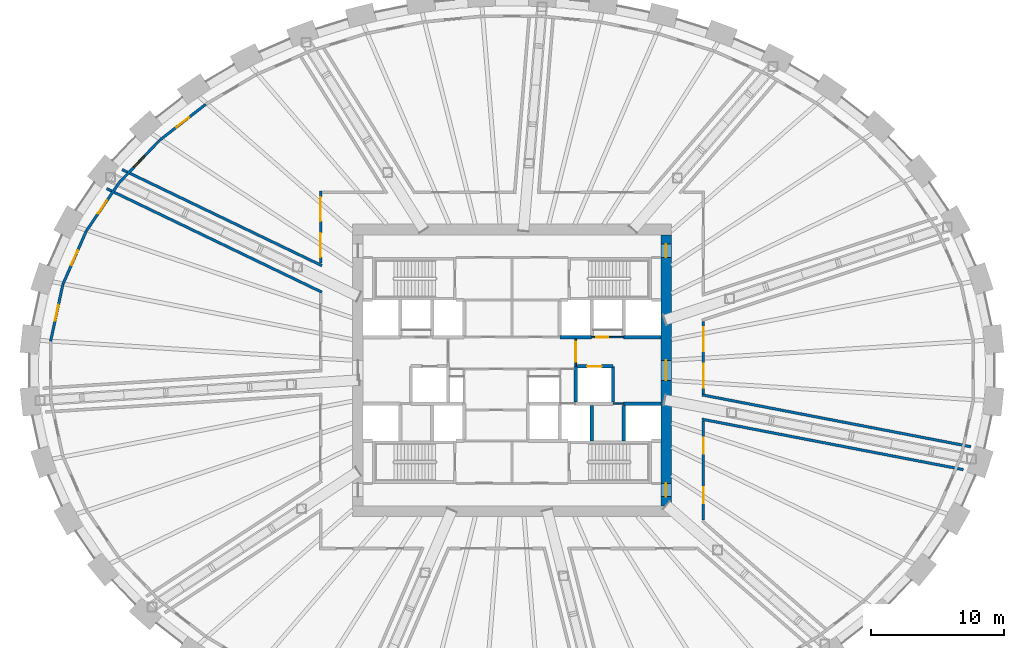
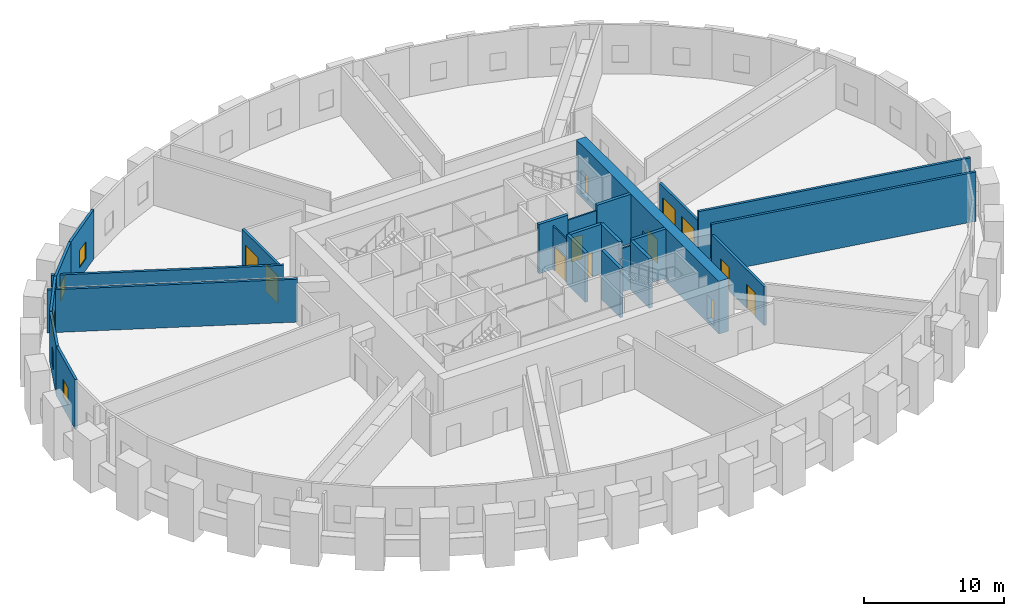
# One storey, part 9 of 13: 24 walls, 12 doors, 5 windows, 17 openings.
"""IFC4 building model written with IfcOpenShell, lengths in metres."""

from ifc_helpers import new_model, si_unit, direction, frame, frame_2d, origin, place, context, subcontext, project, spatial, rectangle, extrude, source, transform, mapped, material, layer, layer_set, type_object, element, fill, save


model = new_model("IFC4")

# Units and contexts
model_context = context("Model", 3, precision=1e-05, world=origin(), true_north=direction((0.0, 1.0)))
body_context = subcontext(model_context, "Body", "Model", "MODEL_VIEW")
ifc_project = project(units=[si_unit("LENGTHUNIT", "METRE"), si_unit("AREAUNIT", "SQUARE_METRE"), si_unit("VOLUMEUNIT", "CUBIC_METRE"), si_unit("PLANEANGLEUNIT", "RADIAN"), si_unit("MASSUNIT", "GRAM", prefix="KILO")], contexts=[model_context])

# Site, building, storey
site_placement = place(None, origin())
site = spatial("IfcSite", under=ifc_project, at=site_placement, CompositionType="ELEMENT")
building_placement = place(site_placement, origin())
building = spatial("IfcBuilding", under=site, at=building_placement, Name="Embergate Tower", CompositionType="ELEMENT")
storey_placement = place(building_placement, frame((0.0, 0.0, 195.0)))
storey = spatial("IfcBuildingStorey", under=building, at=storey_placement, Name="L44", CompositionType="ELEMENT", Elevation=195.0)

# Wall, openings, doors
ifc_material_1 = material(Name="Concrete C70", Category="concrete")
ifc_layer_1 = layer(ifc_material_1, 0.800048828125)
ifc_layer_set_1 = layer_set([ifc_layer_1], Name="Concrete C70")
wall_type_1 = type_object("IfcWallType", Name="Core outer wall C70 800", PredefinedType="SHEAR", material=ifc_layer_set_1)
shared_shape_1 = source(origin(), body_context, "Body", "SweptSolid", [
    extrude(rectangle(XDim=20.39990234375, YDim=0.800048828125, at=frame_2d((10.199951171875, 0.0))), origin(), (0.0, 0.0, 1.0), 4.60009765625),
])
wall_1_placement = place(storey_placement, frame((11.60009765625, -10.199951171875, -0.300048828125), z_axis=(0.0, 0.0, 1.0), x_axis=(0.0, 1.0, 0.0)))
wall_1 = element("IfcWall", 1, at=wall_1_placement, inside=storey, type_object=wall_type_1, Name="CW-L44-E", PredefinedType="SHEAR", context=body_context, shape_type="MappedRepresentation", body=[
    mapped(shared_shape_1, transform((0.0, 0.0, 0.0))),
])
shared_shape_2 = source(origin(), body_context, "Body", "SweptSolid", [
    extrude(rectangle(XDim=1.0, YDim=2.10009765625, at=frame_2d((0.5, 1.050048828125))), frame((0.0, 0.409912109375, 0.0), z_axis=(0.0, -1.0, 0.0), x_axis=(1.0, 0.0, 0.0)), (0.0, 0.0, 1.0), 0.820068359375),
])
opening_1_placement = place(wall_1_placement, frame((18.699951171875, 0.0, 0.300048828125)))
opening_1 = element("IfcOpeningElement", 2, at=opening_1_placement, cuts=wall_1, Name="Opening IF-1d", PredefinedType="OPENING", context=body_context, shape_type="MappedRepresentation", body=[
    mapped(shared_shape_2, transform((0.0, 0.0, 0.0))),
])
opening_2_placement = place(wall_1_placement, frame((0.699951171875, 0.0, 0.300048828125)))
opening_2 = element("IfcOpeningElement", 3, at=opening_2_placement, cuts=wall_1, Name="Opening IF-1d", PredefinedType="OPENING", context=body_context, shape_type="MappedRepresentation", body=[
    mapped(shared_shape_2, transform((0.0, 0.0, 0.0))),
])
shared_shape_3 = source(origin(), body_context, "Body", "SweptSolid", [
    extrude(rectangle(XDim=1.5, YDim=2.10009765625, at=frame_2d((0.75, 1.050048828125))), frame((0.0, 0.409912109375, 0.0), z_axis=(0.0, -1.0, 0.0), x_axis=(1.0, 0.0, 0.0)), (0.0, 0.0, 1.0), 0.820068359375),
])
opening_3_placement = place(wall_1_placement, frame((9.449951171875, 0.0, 0.300048828125)))
opening_3 = element("IfcOpeningElement", 4, at=opening_3_placement, cuts=wall_1, Name="Opening IF-3", PredefinedType="OPENING", context=body_context, shape_type="MappedRepresentation", body=[
    mapped(shared_shape_3, transform((0.0, 0.0, 0.0))),
])
ifc_material_2 = material(Name="Lobby fire door pair 1500")
door_type_1 = type_object("IfcDoorType", Name="Lobby fire door pair 1500", OperationType="DOUBLE_DOOR_SINGLE_SWING", PredefinedType="DOOR", material=ifc_material_2)
shared_shape_4 = source(origin(), body_context, "Body", "SweptSolid", [
    extrude(rectangle(XDim=1.5, YDim=2.10009765625, at=frame_2d((0.75, 1.050048828125))), frame((0.0, 0.02490234375, 0.0), z_axis=(0.0, -1.0, 0.0), x_axis=(1.0, 0.0, 0.0)), (0.0, 0.0, 1.0), 0.050048828125),
])
door_1_placement = place(opening_3_placement, origin())
door_1 = element("IfcDoor", 5, at=door_1_placement, inside=storey, type_object=door_type_1, Name="IF-3 door", OperationType="DOUBLE_DOOR_SINGLE_SWING", OverallHeight=2.10009765625, OverallWidth=1.5, PredefinedType="DOOR", context=body_context, shape_type="MappedRepresentation", body=[
    mapped(shared_shape_4, transform((0.0, 0.0, 0.0))),
])
fill(opening_3, door_1)
ifc_material_3 = material(Name="Escape fire door 1000")
door_type_2 = type_object("IfcDoorType", Name="Escape fire door 1000", OperationType="SINGLE_SWING_LEFT", PredefinedType="DOOR", material=ifc_material_3)
shared_shape_5 = source(origin(), body_context, "Body", "SweptSolid", [
    extrude(rectangle(XDim=1.0, YDim=2.10009765625, at=frame_2d((0.5, 1.050048828125))), frame((0.0, 0.02490234375, 0.0), z_axis=(0.0, -1.0, 0.0), x_axis=(1.0, 0.0, 0.0)), (0.0, 0.0, 1.0), 0.050048828125),
])
door_2_placement = place(opening_1_placement, origin())
door_2 = element("IfcDoor", 6, at=door_2_placement, inside=storey, type_object=door_type_2, Name="IF-1 door", OperationType="SINGLE_SWING_LEFT", OverallHeight=2.10009765625, OverallWidth=1.0, PredefinedType="DOOR", context=body_context, shape_type="MappedRepresentation", body=[
    mapped(shared_shape_5, transform((0.0, 0.0, 0.0))),
])
fill(opening_1, door_2)
door_3_placement = place(opening_2_placement, origin())
door_3 = element("IfcDoor", 7, at=door_3_placement, inside=storey, type_object=door_type_2, Name="IF-1 door", OperationType="SINGLE_SWING_RIGHT", OverallHeight=2.10009765625, OverallWidth=1.0, PredefinedType="DOOR", context=body_context, shape_type="MappedRepresentation", body=[
    mapped(shared_shape_5, transform((0.0, 0.0, 0.0))),
])
fill(opening_2, door_3)

# Wall, opening, window
ifc_material_4 = material(Name="Terracotta louvre cladding on insulated backing", Category="masonry")
ifc_layer_2 = layer(ifc_material_4, 0.199951171875)
ifc_layer_set_2 = layer_set([ifc_layer_2], Name="Terracotta louvre cladding on insulated backing")
wall_type_2 = type_object("IfcWallType", Name="Terracotta louvre wall", PredefinedType="SOLIDWALL", material=ifc_layer_set_2)
shared_shape_6 = source(origin(), body_context, "Body", "SweptSolid", [
    extrude(rectangle(XDim=4.35986328125, YDim=0.199951171875, at=frame_2d((2.179931640625, 0.0))), origin(), (0.0, 0.0, 1.0), 4.300048828125),
])
wall_2_placement = place(storey_placement, frame((-34.72265625, 2.1982421875, 0.0), z_axis=(0.0, 0.0, 1.0), x_axis=(0.210385645864, 0.977618473646, 0.0)))
wall_2 = element("IfcWall", 8, at=wall_2_placement, inside=storey, type_object=wall_type_2, Name="Louvre wall 21", PredefinedType="SOLIDWALL", context=body_context, shape_type="MappedRepresentation", body=[
    mapped(shared_shape_6, transform((0.0, 0.0, 0.0))),
])
shared_shape_7 = source(origin(), body_context, "Body", "SweptSolid", [
    extrude(rectangle(XDim=1.199951171875, YDim=1.5, at=frame_2d((0.60009765625, 0.75))), frame((0.0, 0.10986328125, 0.0), z_axis=(0.0, -1.0, 0.0), x_axis=(1.0, 0.0, 0.0)), (0.0, 0.0, 1.0), 0.219970703125),
])
opening_4_placement = place(wall_2_placement, frame((1.579833984375, 0.0, 1.0)))
opening_4 = element("IfcOpeningElement", 9, at=opening_4_placement, cuts=wall_2, Name="Opening RW", PredefinedType="OPENING", context=body_context, shape_type="MappedRepresentation", body=[
    mapped(shared_shape_7, transform((0.0, 0.0, 0.0))),
])
ifc_material_5 = material(Name="Aluminium, thermally broken, triple glazed", Category="aluminium")
window_type = type_object("IfcWindowType", Name="Refuge operable window", PartitioningType="SINGLE_PANEL", PredefinedType="WINDOW", material=ifc_material_5)
shared_shape_8 = source(origin(), body_context, "Body", "SweptSolid", [
    extrude(rectangle(XDim=1.199951171875, YDim=1.5, at=frame_2d((0.60009765625, 0.75))), frame((0.0, 0.030029296875, 0.0), z_axis=(0.0, -1.0, 0.0), x_axis=(1.0, 0.0, 0.0)), (0.0, 0.0, 1.0), 0.06005859375),
])
window_1_placement = place(opening_4_placement, origin())
window_1 = element("IfcWindow", 10, at=window_1_placement, inside=storey, type_object=window_type, Name="Refuge window 21", OverallHeight=1.5, OverallWidth=1.199951171875, PartitioningType="SINGLE_PANEL", PredefinedType="WINDOW", context=body_context, shape_type="MappedRepresentation", body=[
    mapped(shared_shape_8, transform((0.0, 0.0, 0.0))),
])
fill(opening_4, window_1)

shared_shape_9 = source(origin(), body_context, "Body", "SweptSolid", [
    extrude(rectangle(XDim=4.36669921875, YDim=0.199951171875, at=frame_2d((2.183349609375, 0.0))), origin(), (0.0, 0.0, 1.0), 4.300048828125),
])
wall_3_placement = place(storey_placement, frame((-33.79931640625, 6.4794921875, 0.0), z_axis=(0.0, 0.0, 1.0), x_axis=(0.40165162364, 0.915792538312, 0.0)))
wall_3 = element("IfcWall", 11, at=wall_3_placement, inside=storey, type_object=wall_type_2, Name="Louvre wall 20", PredefinedType="SOLIDWALL", context=body_context, shape_type="MappedRepresentation", body=[
    mapped(shared_shape_9, transform((0.0, 0.0, 0.0))),
])
opening_5_placement = place(wall_3_placement, frame((1.58349609375, 0.0, 1.0)))
opening_5 = element("IfcOpeningElement", 12, at=opening_5_placement, cuts=wall_3, Name="Opening RW", PredefinedType="OPENING", context=body_context, shape_type="MappedRepresentation", body=[
    mapped(shared_shape_7, transform((0.0, 0.0, 0.0))),
])
window_2_placement = place(opening_5_placement, origin())
window_2 = element("IfcWindow", 13, at=window_2_placement, inside=storey, type_object=window_type, Name="Refuge window 20", OverallHeight=1.5, OverallWidth=1.199951171875, PartitioningType="SINGLE_PANEL", PredefinedType="WINDOW", context=body_context, shape_type="MappedRepresentation", body=[
    mapped(shared_shape_8, transform((0.0, 0.0, 0.0))),
])
fill(opening_5, window_2)

shared_shape_10 = source(origin(), body_context, "Body", "SweptSolid", [
    extrude(rectangle(XDim=4.375732421875, YDim=0.199951171875, at=frame_2d((2.18798828125, 0.0))), origin(), (0.0, 0.0, 1.0), 4.300048828125),
])
wall_4_placement = place(storey_placement, frame((-32.03564453125, 10.495849609375, 0.0), z_axis=(0.0, 0.0, 1.0), x_axis=(0.562299338561, 0.826933766304, 0.0)))
wall_4 = element("IfcWall", 14, at=wall_4_placement, inside=storey, type_object=wall_type_2, Name="Louvre wall 19", PredefinedType="SOLIDWALL", context=body_context, shape_type="MappedRepresentation", body=[
    mapped(shared_shape_10, transform((0.0, 0.0, 0.0))),
])
opening_6_placement = place(wall_4_placement, frame((1.587890625, 0.0, 1.0)))
opening_6 = element("IfcOpeningElement", 15, at=opening_6_placement, cuts=wall_4, Name="Opening RW", PredefinedType="OPENING", context=body_context, shape_type="MappedRepresentation", body=[
    mapped(shared_shape_7, transform((0.0, 0.0, 0.0))),
])
window_3_placement = place(opening_6_placement, origin())
window_3 = element("IfcWindow", 16, at=window_3_placement, inside=storey, type_object=window_type, Name="Refuge window 19", OverallHeight=1.5, OverallWidth=1.199951171875, PartitioningType="SINGLE_PANEL", PredefinedType="WINDOW", context=body_context, shape_type="MappedRepresentation", body=[
    mapped(shared_shape_8, transform((0.0, 0.0, 0.0))),
])
fill(opening_6, window_3)

shared_shape_11 = source(origin(), body_context, "Body", "SweptSolid", [
    extrude(rectangle(XDim=4.384521484375, YDim=0.199951171875, at=frame_2d((2.1923828125, 0.0))), origin(), (0.0, 0.0, 1.0), 4.300048828125),
])
wall_5_placement = place(storey_placement, frame((-29.5625, 14.129638671875, 0.0), z_axis=(0.0, 0.0, 1.0), x_axis=(0.690090256074, 0.723723316242, 0.0)))
wall_5 = element("IfcWall", 17, at=wall_5_placement, inside=storey, type_object=wall_type_2, Name="Louvre wall 18", PredefinedType="SOLIDWALL", context=body_context, shape_type="MappedRepresentation", body=[
    mapped(shared_shape_11, transform((0.0, 0.0, 0.0))),
])
opening_7_placement = place(wall_5_placement, frame((1.59228515625, 0.0, 1.0)))
opening_7 = element("IfcOpeningElement", 18, at=opening_7_placement, cuts=wall_5, Name="Opening RW", PredefinedType="OPENING", context=body_context, shape_type="MappedRepresentation", body=[
    mapped(shared_shape_7, transform((0.0, 0.0, 0.0))),
])
window_4_placement = place(opening_7_placement, origin())
window_4 = element("IfcWindow", 19, at=window_4_placement, inside=storey, type_object=window_type, Name="Refuge window 18", OverallHeight=1.5, OverallWidth=1.199951171875, PartitioningType="SINGLE_PANEL", PredefinedType="WINDOW", context=body_context, shape_type="MappedRepresentation", body=[
    mapped(shared_shape_8, transform((0.0, 0.0, 0.0))),
])
fill(opening_7, window_4)

shared_shape_12 = source(origin(), body_context, "Body", "SweptSolid", [
    extrude(rectangle(XDim=4.391845703125, YDim=0.199951171875, at=frame_2d((2.19580078125, 0.0))), origin(), (0.0, 0.0, 1.0), 4.300048828125),
])
wall_6_placement = place(storey_placement, frame((-26.52197265625, 17.316162109375, 0.0), z_axis=(0.0, 0.0, 1.0), x_axis=(0.788318413973, 0.615267485075, 0.0)))
wall_6 = element("IfcWall", 20, at=wall_6_placement, inside=storey, type_object=wall_type_2, Name="Louvre wall 17", PredefinedType="SOLIDWALL", context=body_context, shape_type="MappedRepresentation", body=[
    mapped(shared_shape_12, transform((0.0, 0.0, 0.0))),
])
opening_8_placement = place(wall_6_placement, frame((1.595947265625, 0.0, 1.0)))
opening_8 = element("IfcOpeningElement", 21, at=opening_8_placement, cuts=wall_6, Name="Opening RW", PredefinedType="OPENING", context=body_context, shape_type="MappedRepresentation", body=[
    mapped(shared_shape_7, transform((0.0, 0.0, 0.0))),
])
window_5_placement = place(opening_8_placement, origin())
window_5 = element("IfcWindow", 22, at=window_5_placement, inside=storey, type_object=window_type, Name="Refuge window 17", OverallHeight=1.5, OverallWidth=1.199951171875, PartitioningType="SINGLE_PANEL", PredefinedType="WINDOW", context=body_context, shape_type="MappedRepresentation", body=[
    mapped(shared_shape_8, transform((0.0, 0.0, 0.0))),
])
fill(opening_8, window_5)

# Wall
ifc_material_6 = material(Name="Concrete C50", Category="concrete")
ifc_layer_3 = layer(ifc_material_6, 0.25)
ifc_layer_set_3 = layer_set([ifc_layer_3], Name="Concrete C50")
wall_type_3 = type_object("IfcWallType", Name="Hoistway wall reinforced concrete 250", PredefinedType="SHEAR", material=ifc_layer_set_3)
shared_shape_13 = source(origin(), body_context, "Body", "SweptSolid", [
    extrude(rectangle(XDim=2.675048828125, YDim=0.25, at=frame_2d((1.33740234375, 0.0))), origin(), (0.0, 0.0, 1.0), 4.300048828125),
])
wall_7_placement = place(storey_placement, frame((4.800048828125, -2.375, 0.0), z_axis=(0.0, 0.0, 1.0), x_axis=(0.0, 1.0, 0.0)))
element("IfcWall", 23, at=wall_7_placement, inside=storey, type_object=wall_type_3, Name="HW-1 wall", PredefinedType="SHEAR", context=body_context, shape_type="MappedRepresentation", body=[
    mapped(shared_shape_13, transform((0.0, 0.0, 0.0))),
])

# Wall, opening, door
wall_8_placement = place(storey_placement, frame((7.60009765625, 0.300048828125, 0.0), z_axis=(0.0, 0.0, 1.0), x_axis=(-1.0, 0.0, 0.0)))
wall_8 = element("IfcWall", 24, at=wall_8_placement, inside=storey, type_object=wall_type_3, Name="HW-1 wall", PredefinedType="SHEAR", context=body_context, shape_type="MappedRepresentation", body=[
    mapped(shared_shape_13, transform((0.0, 0.0, 0.0))),
])
shared_shape_14 = source(origin(), body_context, "Body", "SweptSolid", [
    extrude(rectangle(XDim=1.10009765625, YDim=2.10009765625, at=frame_2d((0.550048828125, 1.050048828125))), frame((0.0, 0.135009765625, 0.0), z_axis=(0.0, -1.0, 0.0), x_axis=(1.0, 0.0, 0.0)), (0.0, 0.0, 1.0), 0.27001953125),
])
opening_9_placement = place(wall_8_placement, frame((0.85009765625, 0.0, 0.0)))
opening_9 = element("IfcOpeningElement", 25, at=opening_9_placement, cuts=wall_8, Name="Opening LD", PredefinedType="OPENING", context=body_context, shape_type="MappedRepresentation", body=[
    mapped(shared_shape_14, transform((0.0, 0.0, 0.0))),
])
ifc_material_7 = material(Name="Landing door sliding 1100")
door_type_3 = type_object("IfcDoorType", Name="Landing door sliding 1100", OperationType="SLIDING_TO_LEFT", PredefinedType="DOOR", material=ifc_material_7)
shared_shape_15 = source(origin(), body_context, "Body", "SweptSolid", [
    extrude(rectangle(XDim=1.10009765625, YDim=2.10009765625, at=frame_2d((0.550048828125, 1.050048828125))), frame((0.0, 0.02490234375, 0.0), z_axis=(0.0, -1.0, 0.0), x_axis=(1.0, 0.0, 0.0)), (0.0, 0.0, 1.0), 0.050048828125),
])
door_4_placement = place(opening_9_placement, origin())
door_4 = element("IfcDoor", 26, at=door_4_placement, inside=storey, type_object=door_type_3, Name="LD door", OperationType="SLIDING_TO_LEFT", OverallHeight=2.10009765625, OverallWidth=1.10009765625, PredefinedType="DOOR", context=body_context, shape_type="MappedRepresentation", body=[
    mapped(shared_shape_15, transform((0.0, 0.0, 0.0))),
])
fill(opening_9, door_4)

# Walls
wall_9_placement = place(storey_placement, frame((7.60009765625, -2.375, 0.0), z_axis=(0.0, 0.0, 1.0), x_axis=(0.0, 1.0, 0.0)))
element("IfcWall", 27, at=wall_9_placement, inside=storey, type_object=wall_type_3, Name="HW-1 wall", PredefinedType="SHEAR", context=body_context, shape_type="MappedRepresentation", body=[
    mapped(shared_shape_13, transform((0.0, 0.0, 0.0))),
])
shared_shape_16 = source(origin(), body_context, "Body", "SweptSolid", [
    extrude(rectangle(XDim=2.39990234375, YDim=0.25, at=frame_2d((1.199951171875, 0.0))), origin(), (0.0, 0.0, 1.0), 4.300048828125),
])
wall_10_placement = place(storey_placement, frame((3.60009765625, 2.5, 0.0), z_axis=(0.0, 0.0, 1.0), x_axis=(1.0, 0.0, 0.0)))
element("IfcWall", 28, at=wall_10_placement, inside=storey, type_object=wall_type_3, Name="HW-1 wall", PredefinedType="SHEAR", context=body_context, shape_type="MappedRepresentation", body=[
    mapped(shared_shape_16, transform((0.0, 0.0, 0.0))),
])

# Wall, opening, door
ifc_material_8 = material(Name="Core partition blockwork 120")
ifc_layer_4 = layer(ifc_material_8, 0.1201171875)
ifc_layer_set_4 = layer_set([ifc_layer_4], Name="Core partition blockwork 120")
wall_type_4 = type_object("IfcWallType", Name="Core partition blockwork 120", PredefinedType="PARTITIONING", material=ifc_layer_set_4)
shared_shape_17 = source(origin(), body_context, "Body", "SweptSolid", [
    extrude(rectangle(XDim=2.074951171875, YDim=0.1201171875, at=frame_2d((1.03759765625, 0.0))), origin(), (0.0, 0.0, 1.0), 3.800048828125),
])
wall_11_placement = place(storey_placement, frame((4.800048828125, 0.300048828125, 0.0), z_axis=(0.0, 0.0, 1.0), x_axis=(0.0, 1.0, 0.0)))
wall_11 = element("IfcWall", 29, at=wall_11_placement, inside=storey, type_object=wall_type_4, Name="IP-3 wall", PredefinedType="PARTITIONING", context=body_context, shape_type="MappedRepresentation", body=[
    mapped(shared_shape_17, transform((0.0, 0.0, 0.0))),
])
shared_shape_18 = source(origin(), body_context, "Body", "SweptSolid", [
    extrude(rectangle(XDim=1.5, YDim=2.10009765625, at=frame_2d((0.75, 1.050048828125))), frame((0.0, 0.070068359375, 0.0), z_axis=(0.0, -1.0, 0.0), x_axis=(1.0, 0.0, 0.0)), (0.0, 0.0, 1.0), 0.14013671875),
])
opening_10_placement = place(wall_11_placement, frame((0.35009765625, 0.0, 0.0)))
opening_10 = element("IfcOpeningElement", 30, at=opening_10_placement, cuts=wall_11, Name="Opening IF-3", PredefinedType="OPENING", context=body_context, shape_type="MappedRepresentation", body=[
    mapped(shared_shape_18, transform((0.0, 0.0, 0.0))),
])
door_5_placement = place(opening_10_placement, origin())
door_5 = element("IfcDoor", 31, at=door_5_placement, inside=storey, type_object=door_type_1, Name="IF-3 door", OperationType="DOUBLE_DOOR_SINGLE_SWING", OverallHeight=2.10009765625, OverallWidth=1.5, PredefinedType="DOOR", context=body_context, shape_type="MappedRepresentation", body=[
    mapped(shared_shape_4, transform((0.0, 0.0, 0.0))),
])
fill(opening_10, door_5)

# Walls
shared_shape_19 = source(origin(), body_context, "Body", "SweptSolid", [
    extrude(rectangle(XDim=2.800048828125, YDim=0.25, at=frame_2d((1.39990234375, 0.0))), origin(), (0.0, 0.0, 1.0), 4.300048828125),
])
for number, where, z_axis, x_axis, name in (
    (32, (8.39990234375, 2.5, 0.0), (0.0, 0.0, 1.0), (1.0, 0.0, 0.0), "HW-1 wall"),
    (33, (11.199951171875, -2.5, 0.0), (0.0, 0.0, 1.0), (-1.0, 0.0, 0.0), "HW-1 wall"),
):
    element("IfcWall", number, at=place(storey_placement, frame(where, z_axis=z_axis, x_axis=x_axis)), inside=storey, type_object=wall_type_3, Name=name, PredefinedType="SHEAR", context=body_context, shape_type="MappedRepresentation", body=[
        mapped(shared_shape_19, transform((0.0, 0.0, 0.0))),
    ])

# Wall, opening, door
shared_shape_20 = source(origin(), body_context, "Body", "SweptSolid", [
    extrude(rectangle(XDim=2.39990234375, YDim=0.1201171875, at=frame_2d((1.199951171875, 0.0))), origin(), (0.0, 0.0, 1.0), 3.800048828125),
])
wall_12_placement = place(storey_placement, frame((6.0, 2.5, 0.0), z_axis=(0.0, 0.0, 1.0), x_axis=(1.0, 0.0, 0.0)))
wall_12 = element("IfcWall", 34, at=wall_12_placement, inside=storey, type_object=wall_type_4, Name="IP-3 wall", PredefinedType="PARTITIONING", context=body_context, shape_type="MappedRepresentation", body=[
    mapped(shared_shape_20, transform((0.0, 0.0, 0.0))),
])
shared_shape_21 = source(origin(), body_context, "Body", "SweptSolid", [
    extrude(rectangle(XDim=0.89990234375, YDim=2.10009765625, at=frame_2d((0.449951171875, 1.050048828125))), frame((0.0, 0.070068359375, 0.0), z_axis=(0.0, -1.0, 0.0), x_axis=(1.0, 0.0, 0.0)), (0.0, 0.0, 1.0), 0.14013671875),
])
opening_11_placement = place(wall_12_placement, frame((0.35009765625, 0.0, 0.0)))
opening_11 = element("IfcOpeningElement", 35, at=opening_11_placement, cuts=wall_12, Name="Opening ID-1", PredefinedType="OPENING", context=body_context, shape_type="MappedRepresentation", body=[
    mapped(shared_shape_21, transform((0.0, 0.0, 0.0))),
])
ifc_material_9 = material(Name="Interior door 900")
door_type_4 = type_object("IfcDoorType", Name="Interior door 900", OperationType="SINGLE_SWING_LEFT", PredefinedType="DOOR", material=ifc_material_9)
shared_shape_22 = source(origin(), body_context, "Body", "SweptSolid", [
    extrude(rectangle(XDim=0.89990234375, YDim=2.10009765625, at=frame_2d((0.449951171875, 1.050048828125))), frame((0.0, 0.02490234375, 0.0), z_axis=(0.0, -1.0, 0.0), x_axis=(1.0, 0.0, 0.0)), (0.0, 0.0, 1.0), 0.050048828125),
])
door_6_placement = place(opening_11_placement, origin())
door_6 = element("IfcDoor", 36, at=door_6_placement, inside=storey, type_object=door_type_4, Name="ID-1 door", OperationType="SINGLE_SWING_RIGHT", OverallHeight=2.10009765625, OverallWidth=0.89990234375, PredefinedType="DOOR", context=body_context, shape_type="MappedRepresentation", body=[
    mapped(shared_shape_22, transform((0.0, 0.0, 0.0))),
])
fill(opening_11, door_6)

# Walls
shared_shape_23 = source(origin(), body_context, "Body", "SweptSolid", [
    extrude(rectangle(XDim=2.671142578125, YDim=0.25, at=frame_2d((1.33544921875, 0.0))), origin(), (0.0, 0.0, 1.0), 4.300048828125),
])
for number, where, z_axis, x_axis, name in (
    (37, (6.0, -5.298095703125, 0.0), (0.0, 0.0, 1.0), (0.0, 1.0, 0.0), "HW-1 wall"),
    (38, (8.39990234375, -2.626953125, 0.0), (0.0, 0.0, 1.0), (0.0, -1.0, 0.0), "HW-1 wall"),
):
    element("IfcWall", number, at=place(storey_placement, frame(where, z_axis=z_axis, x_axis=x_axis)), inside=storey, type_object=wall_type_3, Name=name, PredefinedType="SHEAR", context=body_context, shape_type="MappedRepresentation", body=[
        mapped(shared_shape_23, transform((0.0, 0.0, 0.0))),
    ])
shared_shape_24 = source(origin(), body_context, "Body", "SweptSolid", [
    extrude(rectangle(XDim=0.7958984375, YDim=0.1201171875, at=frame_2d((0.39794921875, 0.0))), origin(), (0.0, 0.0, 1.0), 3.800048828125),
])
wall_13_placement = place(storey_placement, frame((7.60205078125, -2.5, 0.0), z_axis=(0.0, 0.0, 1.0), x_axis=(1.0, 0.0, 0.0)))
element("IfcWall", 39, at=wall_13_placement, inside=storey, type_object=wall_type_4, Name="IP-3 wall", PredefinedType="PARTITIONING", context=body_context, shape_type="MappedRepresentation", body=[
    mapped(shared_shape_24, transform((0.0, 0.0, 0.0))),
])
ifc_material_10 = material(Name="Blockwork, plastered", Category="masonry")
ifc_layer_5 = layer(ifc_material_10, 0.199951171875)
ifc_layer_set_5 = layer_set([ifc_layer_5], Name="Blockwork, plastered")
wall_type_5 = type_object("IfcWallType", Name="Fire partition wall 200 block", PredefinedType="PARTITIONING", material=ifc_layer_set_5)
shared_shape_25 = source(origin(), body_context, "Body", "SweptSolid", [
    extrude(rectangle(XDim=17.971435546875, YDim=0.199951171875, at=frame_2d((8.98583984375, 0.0))), origin(), (0.0, 0.0, 1.0), 3.75),
])
wall_14_placement = place(storey_placement, frame((-30.5048828125, 13.677001953125, 0.0), z_axis=(0.0, 0.0, 1.0), x_axis=(0.901142826649, -0.43352232466, 0.0)))
element("IfcWall", 40, at=wall_14_placement, inside=storey, type_object=wall_type_5, Name="Partition 002", PredefinedType="PARTITIONING", context=body_context, shape_type="MappedRepresentation", body=[
    mapped(shared_shape_25, transform((0.0, 0.0, 0.0))),
])
shared_shape_26 = source(origin(), body_context, "Body", "SweptSolid", [
    extrude(rectangle(XDim=16.673095703125, YDim=0.199951171875, at=frame_2d((8.33642578125, 0.0))), origin(), (0.0, 0.0, 1.0), 3.75),
])
wall_15_placement = place(storey_placement, frame((-14.31005859375, 7.883056640625, 0.0), z_axis=(0.0, 0.0, 1.0), x_axis=(-0.901146612411, 0.433514455283, 0.0)))
element("IfcWall", 41, at=wall_15_placement, inside=storey, type_object=wall_type_5, Name="Partition 010", PredefinedType="PARTITIONING", context=body_context, shape_type="MappedRepresentation", body=[
    mapped(shared_shape_26, transform((0.0, 0.0, 0.0))),
])

# Wall, openings, doors
shared_shape_27 = source(origin(), body_context, "Body", "SweptSolid", [
    extrude(rectangle(XDim=5.43408203125, YDim=0.199951171875, at=frame_2d((2.717041015625, 0.0))), origin(), (0.0, 0.0, 1.0), 3.5),
])
wall_16_placement = place(storey_placement, frame((-14.39990234375, 8.06591796875, 0.0), z_axis=(0.0, 0.0, 1.0), x_axis=(0.0, 1.0, 0.0)))
wall_16 = element("IfcWall", 42, at=wall_16_placement, inside=storey, type_object=wall_type_5, Name="Partition 011", PredefinedType="PARTITIONING", context=body_context, shape_type="MappedRepresentation", body=[
    mapped(shared_shape_27, transform((0.0, 0.0, 0.0))),
])
shared_shape_28 = source(origin(), body_context, "Body", "SweptSolid", [
    extrude(rectangle(XDim=1.800048828125, YDim=2.39990234375, at=frame_2d((0.89990234375, 1.199951171875))), frame((0.0, 0.10986328125, 0.0), z_axis=(0.0, -1.0, 0.0), x_axis=(1.0, 0.0, 0.0)), (0.0, 0.0, 1.0), 0.219970703125),
])
opening_12_placement = place(wall_16_placement, frame((0.458984375, 0.0, 0.0)))
opening_12 = element("IfcOpeningElement", 43, at=opening_12_placement, cuts=wall_16, Name="Opening DS-207", PredefinedType="OPENING", context=body_context, shape_type="MappedRepresentation", body=[
    mapped(shared_shape_28, transform((0.0, 0.0, 0.0))),
])
opening_13_placement = place(wall_16_placement, frame((3.175048828125, 0.0, 0.0)))
opening_13 = element("IfcOpeningElement", 44, at=opening_13_placement, cuts=wall_16, Name="Opening DS-208", PredefinedType="OPENING", context=body_context, shape_type="MappedRepresentation", body=[
    mapped(shared_shape_28, transform((0.0, 0.0, 0.0))),
])
ifc_material_11 = material(Name="Timber door leaf, steel frame", Category="steel")
door_type_5 = type_object("IfcDoorType", Name="Double door 1800x2400", OperationType="DOUBLE_DOOR_SINGLE_SWING", PredefinedType="DOOR", material=ifc_material_11)
shared_shape_29 = source(origin(), body_context, "Body", "SweptSolid", [
    extrude(rectangle(XDim=1.800048828125, YDim=2.39990234375, at=frame_2d((0.89990234375, 1.199951171875))), frame((0.0, 0.02490234375, 0.0), z_axis=(0.0, -1.0, 0.0), x_axis=(1.0, 0.0, 0.0)), (0.0, 0.0, 1.0), 0.050048828125),
])
door_7_placement = place(opening_12_placement, origin())
door_7 = element("IfcDoor", 45, at=door_7_placement, inside=storey, type_object=door_type_5, Name="Door to Refuge area", OperationType="SINGLE_SWING_LEFT", OverallHeight=2.39990234375, OverallWidth=1.800048828125, PredefinedType="DOOR", context=body_context, shape_type="MappedRepresentation", body=[
    mapped(shared_shape_29, transform((0.0, 0.0, 0.0))),
])
fill(opening_12, door_7)
door_8_placement = place(opening_13_placement, origin())
door_8 = element("IfcDoor", 46, at=door_8_placement, inside=storey, type_object=door_type_5, Name="Door to Refuge area", OperationType="SINGLE_SWING_LEFT", OverallHeight=2.39990234375, OverallWidth=1.800048828125, PredefinedType="DOOR", context=body_context, shape_type="MappedRepresentation", body=[
    mapped(shared_shape_29, transform((0.0, 0.0, 0.0))),
])
fill(opening_13, door_8)

shared_shape_30 = source(origin(), body_context, "Body", "SweptSolid", [
    extrude(rectangle(XDim=7.463134765625, YDim=0.199951171875, at=frame_2d((3.7314453125, 0.0))), origin(), (0.0, 0.0, 1.0), 3.39990234375),
])
wall_17_placement = place(storey_placement, frame((14.39990234375, -3.804931640625, 0.0), z_axis=(0.0, 0.0, 1.0), x_axis=(0.0, -1.0, 0.0)))
wall_17 = element("IfcWall", 47, at=wall_17_placement, inside=storey, type_object=wall_type_5, Name="Partition 028", PredefinedType="PARTITIONING", context=body_context, shape_type="MappedRepresentation", body=[
    mapped(shared_shape_30, transform((0.0, 0.0, 0.0))),
])
shared_shape_31 = source(origin(), body_context, "Body", "SweptSolid", [
    extrude(rectangle(XDim=1.199951171875, YDim=2.10009765625, at=frame_2d((0.60009765625, 1.050048828125))), frame((0.0, 0.10986328125, 0.0), z_axis=(0.0, -1.0, 0.0), x_axis=(1.0, 0.0, 0.0)), (0.0, 0.0, 1.0), 0.219970703125),
])
opening_14_placement = place(wall_17_placement, frame((1.26611328125, 0.0, 0.0)))
opening_14 = element("IfcOpeningElement", 48, at=opening_14_placement, cuts=wall_17, Name="Opening DS-219", PredefinedType="OPENING", context=body_context, shape_type="MappedRepresentation", body=[
    mapped(shared_shape_31, transform((0.0, 0.0, 0.0))),
])
opening_15_placement = place(wall_17_placement, frame((4.9970703125, 0.0, 0.0)))
opening_15 = element("IfcOpeningElement", 49, at=opening_15_placement, cuts=wall_17, Name="Opening DS-220", PredefinedType="OPENING", context=body_context, shape_type="MappedRepresentation", body=[
    mapped(shared_shape_31, transform((0.0, 0.0, 0.0))),
])
door_type_6 = type_object("IfcDoorType", Name="Plant door 1200x2100", OperationType="SINGLE_SWING_LEFT", PredefinedType="DOOR", material=ifc_material_11)
shared_shape_32 = source(origin(), body_context, "Body", "SweptSolid", [
    extrude(rectangle(XDim=1.199951171875, YDim=2.10009765625, at=frame_2d((0.60009765625, 1.050048828125))), frame((0.0, 0.02490234375, 0.0), z_axis=(0.0, -1.0, 0.0), x_axis=(1.0, 0.0, 0.0)), (0.0, 0.0, 1.0), 0.050048828125),
])
door_9_placement = place(opening_14_placement, origin())
door_9 = element("IfcDoor", 50, at=door_9_placement, inside=storey, type_object=door_type_6, Name="Door to Pump plant room", OperationType="SINGLE_SWING_LEFT", OverallHeight=2.10009765625, OverallWidth=1.199951171875, PredefinedType="DOOR", context=body_context, shape_type="MappedRepresentation", body=[
    mapped(shared_shape_32, transform((0.0, 0.0, 0.0))),
])
fill(opening_14, door_9)
door_10_placement = place(opening_15_placement, origin())
door_10 = element("IfcDoor", 51, at=door_10_placement, inside=storey, type_object=door_type_6, Name="Door to Pump plant room", OperationType="SINGLE_SWING_LEFT", OverallHeight=2.10009765625, OverallWidth=1.199951171875, PredefinedType="DOOR", context=body_context, shape_type="MappedRepresentation", body=[
    mapped(shared_shape_32, transform((0.0, 0.0, 0.0))),
])
fill(opening_15, door_10)

# Wall
shared_shape_33 = source(origin(), body_context, "Body", "SweptSolid", [
    extrude(rectangle(XDim=20.025390625, YDim=0.199951171875, at=frame_2d((10.0126953125, 0.0))), origin(), (0.0, 0.0, 1.0), 4.300048828125),
])
wall_18_placement = place(storey_placement, frame((14.302001953125, -3.676025390625, 0.0), z_axis=(0.0, 0.0, 1.0), x_axis=(0.981907876764, -0.189359239408, 0.0)))
element("IfcWall", 52, at=wall_18_placement, inside=storey, type_object=wall_type_5, Name="Partition 029", PredefinedType="PARTITIONING", context=body_context, shape_type="MappedRepresentation", body=[
    mapped(shared_shape_33, transform((0.0, 0.0, 0.0))),
])

# Wall, openings, doors
shared_shape_34 = source(origin(), body_context, "Body", "SweptSolid", [
    extrude(rectangle(XDim=5.451904296875, YDim=0.199951171875, at=frame_2d((2.72607421875, 0.0))), origin(), (0.0, 0.0, 1.0), 3.39990234375),
])
wall_19_placement = place(storey_placement, frame((14.39990234375, 3.69091796875, 0.0), z_axis=(0.0, 0.0, 1.0), x_axis=(0.0, -1.0, 0.0)))
wall_19 = element("IfcWall", 53, at=wall_19_placement, inside=storey, type_object=wall_type_5, Name="Partition 030", PredefinedType="PARTITIONING", context=body_context, shape_type="MappedRepresentation", body=[
    mapped(shared_shape_34, transform((0.0, 0.0, 0.0))),
])
opening_16_placement = place(wall_19_placement, frame((0.462890625, 0.0, 0.0)))
opening_16 = element("IfcOpeningElement", 54, at=opening_16_placement, cuts=wall_19, Name="Opening DS-199", PredefinedType="OPENING", context=body_context, shape_type="MappedRepresentation", body=[
    mapped(shared_shape_28, transform((0.0, 0.0, 0.0))),
])
opening_17_placement = place(wall_19_placement, frame((3.18896484375, 0.0, 0.0)))
opening_17 = element("IfcOpeningElement", 55, at=opening_17_placement, cuts=wall_19, Name="Opening DS-200", PredefinedType="OPENING", context=body_context, shape_type="MappedRepresentation", body=[
    mapped(shared_shape_28, transform((0.0, 0.0, 0.0))),
])
door_11_placement = place(opening_16_placement, origin())
door_11 = element("IfcDoor", 56, at=door_11_placement, inside=storey, type_object=door_type_5, Name="Door to Refuge area", OperationType="SINGLE_SWING_LEFT", OverallHeight=2.39990234375, OverallWidth=1.800048828125, PredefinedType="DOOR", context=body_context, shape_type="MappedRepresentation", body=[
    mapped(shared_shape_29, transform((0.0, 0.0, 0.0))),
])
fill(opening_16, door_11)
door_12_placement = place(opening_17_placement, origin())
door_12 = element("IfcDoor", 57, at=door_12_placement, inside=storey, type_object=door_type_5, Name="Door to Refuge area", OperationType="SINGLE_SWING_LEFT", OverallHeight=2.39990234375, OverallWidth=1.800048828125, PredefinedType="DOOR", context=body_context, shape_type="MappedRepresentation", body=[
    mapped(shared_shape_29, transform((0.0, 0.0, 0.0))),
])
fill(opening_17, door_12)

# Wall
shared_shape_35 = source(origin(), body_context, "Body", "SweptSolid", [
    extrude(rectangle(XDim=20.599853515625, YDim=0.199951171875, at=frame_2d((10.2998046875, 0.0))), origin(), (0.0, 0.0, 1.0), 4.300048828125),
])
wall_20_placement = place(storey_placement, frame((34.529052734375, -5.743896484375, 0.0), z_axis=(0.0, 0.0, 1.0), x_axis=(-0.9818979141, 0.189410892736, 0.0)))
element("IfcWall", 58, at=wall_20_placement, inside=storey, type_object=wall_type_5, Name="Partition 036", PredefinedType="PARTITIONING", context=body_context, shape_type="MappedRepresentation", body=[
    mapped(shared_shape_35, transform((0.0, 0.0, 0.0))),
])

save(model, "model.ifc")
